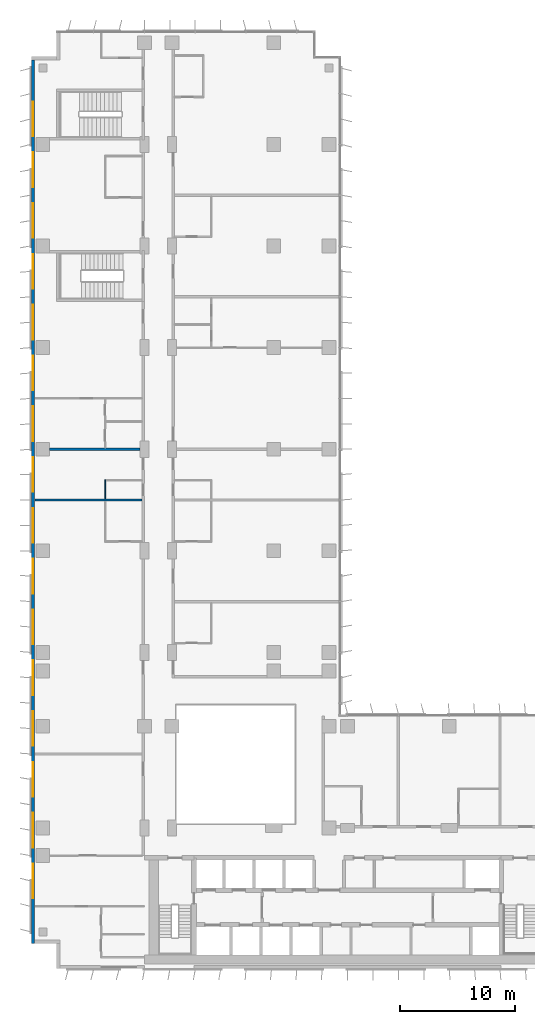
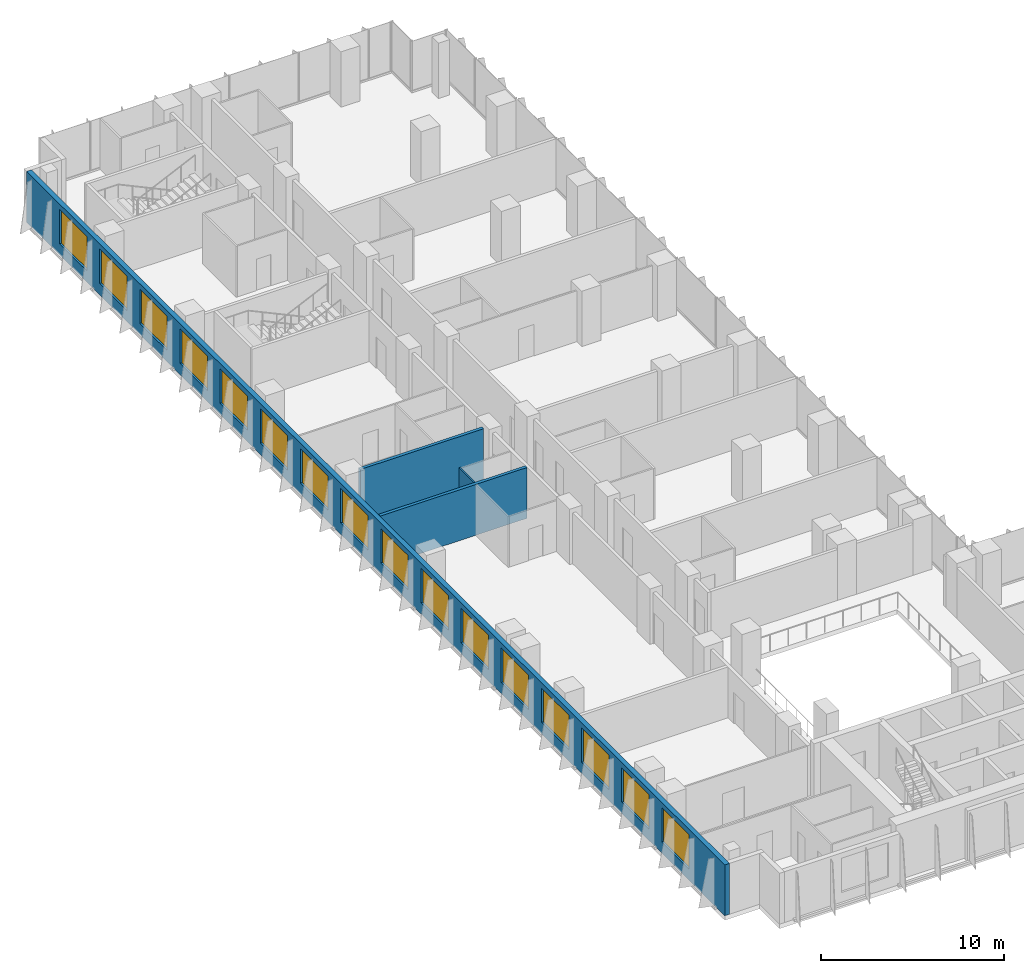
# One storey, part 15 of 22: 16 windows, 4 walls, 16 openings.
"""IFC4 building model written with IfcOpenShell, lengths in metres."""

from ifc_helpers import new_model, si_unit, direction, frame, frame_2d, origin, place, context, subcontext, project, spatial, rectangle, extrude, material, layer, layer_set, type_object, element, fill, save


model = new_model("IFC4")

# Units and contexts
model_context = context("Model", 3, precision=1e-05, world=origin(), true_north=direction((0.0, 1.0)))
body_context = subcontext(model_context, "Body", "Model", "MODEL_VIEW")
ifc_project = project(units=[si_unit("LENGTHUNIT", "METRE"), si_unit("AREAUNIT", "SQUARE_METRE"), si_unit("VOLUMEUNIT", "CUBIC_METRE"), si_unit("PLANEANGLEUNIT", "RADIAN"), si_unit("MASSUNIT", "GRAM", prefix="KILO")], contexts=[model_context])

# Site, building, storey
site_placement = place(None, origin())
site = spatial("IfcSite", under=ifc_project, at=site_placement, CompositionType="ELEMENT")
building_placement = place(site_placement, origin())
building = spatial("IfcBuilding", under=site, at=building_placement, Name="Kemantara Hotel Tower", CompositionType="ELEMENT")
storey_placement = place(building_placement, frame((0.0, 0.0, 125.89990234375)))
storey = spatial("IfcBuildingStorey", under=building, at=storey_placement, Name="L30", CompositionType="ELEMENT", Elevation=125.89990234375)

# Wall, openings, windows
ifc_material_1 = material(Name="Bronze anodised aluminium cladding on insulated steel stud wall", Category="steel")
ifc_layer_1 = layer(ifc_material_1, 0.300048828125)
ifc_layer_set_1 = layer_set([ifc_layer_1], Name="Bronze anodised aluminium cladding on insulated steel stud wall")
wall_type_1 = type_object("IfcWallType", Name="BRONZE METAL-CLAD EXTERNAL WALL 300", PredefinedType="STANDARD", material=ifc_layer_set_1)
wall_1_placement = place(storey_placement, frame((0.14990234375, 78.699951171875, 0.0), z_axis=(0.0, 0.0, 1.0), x_axis=(0.0, -1.0, 0.0)))
wall_1 = element("IfcWall", 1, at=wall_1_placement, inside=storey, type_object=wall_type_1, Name="EXTERNAL WALL L30 T2-R04", PredefinedType="STANDARD", context=body_context, shape_type="SweptSolid", body=[
    extrude(rectangle(XDim=76.5, YDim=0.300048828125, at=frame_2d((38.25, 0.0))), origin(), (0.0, 0.0, 1.0), 3.400146484375),
])
opening_1_placement = place(wall_1_placement, frame((3.60009765625, 0.0, 0.75)))
opening_1 = element("IfcOpeningElement", 2, at=opening_1_placement, cuts=wall_1, Name="Opening W1", PredefinedType="OPENING", context=body_context, shape_type="SweptSolid", body=[
    extrude(rectangle(XDim=3.0, YDim=2.300048828125, at=frame_2d((1.5, 1.14990234375))), frame((0.0, 0.159912109375, 0.0), z_axis=(0.0, -1.0, 0.0), x_axis=(1.0, 0.0, 0.0)), (0.0, 0.0, 1.0), 0.320068359375),
])
opening_2_placement = place(wall_1_placement, frame((8.0, 0.0, 0.75)))
opening_2 = element("IfcOpeningElement", 3, at=opening_2_placement, cuts=wall_1, Name="Opening W1", PredefinedType="OPENING", context=body_context, shape_type="SweptSolid", body=[
    extrude(rectangle(XDim=3.0, YDim=2.300048828125, at=frame_2d((1.5, 1.14990234375))), frame((0.0, 0.159912109375, 0.0), z_axis=(0.0, -1.0, 0.0), x_axis=(1.0, 0.0, 0.0)), (0.0, 0.0, 1.0), 0.320068359375),
])
opening_3_placement = place(wall_1_placement, frame((12.39990234375, 0.0, 0.75)))
opening_3 = element("IfcOpeningElement", 4, at=opening_3_placement, cuts=wall_1, Name="Opening W1", PredefinedType="OPENING", context=body_context, shape_type="SweptSolid", body=[
    extrude(rectangle(XDim=3.0, YDim=2.300048828125, at=frame_2d((1.5, 1.14990234375))), frame((0.0, 0.159912109375, 0.0), z_axis=(0.0, -1.0, 0.0), x_axis=(1.0, 0.0, 0.0)), (0.0, 0.0, 1.0), 0.320068359375),
])
opening_4_placement = place(wall_1_placement, frame((16.800048828125, 0.0, 0.75)))
opening_4 = element("IfcOpeningElement", 5, at=opening_4_placement, cuts=wall_1, Name="Opening W1", PredefinedType="OPENING", context=body_context, shape_type="SweptSolid", body=[
    extrude(rectangle(XDim=3.0, YDim=2.300048828125, at=frame_2d((1.5, 1.14990234375))), frame((0.0, 0.159912109375, 0.0), z_axis=(0.0, -1.0, 0.0), x_axis=(1.0, 0.0, 0.0)), (0.0, 0.0, 1.0), 0.320068359375),
])
opening_5_placement = place(wall_1_placement, frame((21.199951171875, 0.0, 0.75)))
opening_5 = element("IfcOpeningElement", 6, at=opening_5_placement, cuts=wall_1, Name="Opening W1", PredefinedType="OPENING", context=body_context, shape_type="SweptSolid", body=[
    extrude(rectangle(XDim=3.0, YDim=2.300048828125, at=frame_2d((1.5, 1.14990234375))), frame((0.0, 0.159912109375, 0.0), z_axis=(0.0, -1.0, 0.0), x_axis=(1.0, 0.0, 0.0)), (0.0, 0.0, 1.0), 0.320068359375),
])
opening_6_placement = place(wall_1_placement, frame((25.60009765625, 0.0, 0.75)))
opening_6 = element("IfcOpeningElement", 7, at=opening_6_placement, cuts=wall_1, Name="Opening W1", PredefinedType="OPENING", context=body_context, shape_type="SweptSolid", body=[
    extrude(rectangle(XDim=3.0, YDim=2.300048828125, at=frame_2d((1.5, 1.14990234375))), frame((0.0, 0.159912109375, 0.0), z_axis=(0.0, -1.0, 0.0), x_axis=(1.0, 0.0, 0.0)), (0.0, 0.0, 1.0), 0.320068359375),
])
opening_7_placement = place(wall_1_placement, frame((30.0, 0.0, 0.75)))
opening_7 = element("IfcOpeningElement", 8, at=opening_7_placement, cuts=wall_1, Name="Opening W1", PredefinedType="OPENING", context=body_context, shape_type="SweptSolid", body=[
    extrude(rectangle(XDim=3.0, YDim=2.300048828125, at=frame_2d((1.5, 1.14990234375))), frame((0.0, 0.159912109375, 0.0), z_axis=(0.0, -1.0, 0.0), x_axis=(1.0, 0.0, 0.0)), (0.0, 0.0, 1.0), 0.320068359375),
])
opening_8_placement = place(wall_1_placement, frame((34.39990234375, 0.0, 0.75)))
opening_8 = element("IfcOpeningElement", 9, at=opening_8_placement, cuts=wall_1, Name="Opening W1", PredefinedType="OPENING", context=body_context, shape_type="SweptSolid", body=[
    extrude(rectangle(XDim=3.0, YDim=2.300048828125, at=frame_2d((1.5, 1.14990234375))), frame((0.0, 0.159912109375, 0.0), z_axis=(0.0, -1.0, 0.0), x_axis=(1.0, 0.0, 0.0)), (0.0, 0.0, 1.0), 0.320068359375),
])
opening_9_placement = place(wall_1_placement, frame((38.800048828125, 0.0, 0.75)))
opening_9 = element("IfcOpeningElement", 10, at=opening_9_placement, cuts=wall_1, Name="Opening W1", PredefinedType="OPENING", context=body_context, shape_type="SweptSolid", body=[
    extrude(rectangle(XDim=3.0, YDim=2.300048828125, at=frame_2d((1.5, 1.14990234375))), frame((0.0, 0.159912109375, 0.0), z_axis=(0.0, -1.0, 0.0), x_axis=(1.0, 0.0, 0.0)), (0.0, 0.0, 1.0), 0.320068359375),
])
opening_10_placement = place(wall_1_placement, frame((43.199951171875, 0.0, 0.75)))
opening_10 = element("IfcOpeningElement", 11, at=opening_10_placement, cuts=wall_1, Name="Opening W1", PredefinedType="OPENING", context=body_context, shape_type="SweptSolid", body=[
    extrude(rectangle(XDim=3.0, YDim=2.300048828125, at=frame_2d((1.5, 1.14990234375))), frame((0.0, 0.159912109375, 0.0), z_axis=(0.0, -1.0, 0.0), x_axis=(1.0, 0.0, 0.0)), (0.0, 0.0, 1.0), 0.320068359375),
])
opening_11_placement = place(wall_1_placement, frame((47.60009765625, 0.0, 0.75)))
opening_11 = element("IfcOpeningElement", 12, at=opening_11_placement, cuts=wall_1, Name="Opening W1", PredefinedType="OPENING", context=body_context, shape_type="SweptSolid", body=[
    extrude(rectangle(XDim=3.0, YDim=2.300048828125, at=frame_2d((1.5, 1.14990234375))), frame((0.0, 0.159912109375, 0.0), z_axis=(0.0, -1.0, 0.0), x_axis=(1.0, 0.0, 0.0)), (0.0, 0.0, 1.0), 0.320068359375),
])
opening_12_placement = place(wall_1_placement, frame((52.0, 0.0, 0.75)))
opening_12 = element("IfcOpeningElement", 13, at=opening_12_placement, cuts=wall_1, Name="Opening W1", PredefinedType="OPENING", context=body_context, shape_type="SweptSolid", body=[
    extrude(rectangle(XDim=3.0, YDim=2.300048828125, at=frame_2d((1.5, 1.14990234375))), frame((0.0, 0.159912109375, 0.0), z_axis=(0.0, -1.0, 0.0), x_axis=(1.0, 0.0, 0.0)), (0.0, 0.0, 1.0), 0.320068359375),
])
opening_13_placement = place(wall_1_placement, frame((56.39990234375, 0.0, 0.75)))
opening_13 = element("IfcOpeningElement", 14, at=opening_13_placement, cuts=wall_1, Name="Opening W1", PredefinedType="OPENING", context=body_context, shape_type="SweptSolid", body=[
    extrude(rectangle(XDim=3.0, YDim=2.300048828125, at=frame_2d((1.5, 1.14990234375))), frame((0.0, 0.159912109375, 0.0), z_axis=(0.0, -1.0, 0.0), x_axis=(1.0, 0.0, 0.0)), (0.0, 0.0, 1.0), 0.320068359375),
])
opening_14_placement = place(wall_1_placement, frame((60.800048828125, 0.0, 0.75)))
opening_14 = element("IfcOpeningElement", 15, at=opening_14_placement, cuts=wall_1, Name="Opening W1", PredefinedType="OPENING", context=body_context, shape_type="SweptSolid", body=[
    extrude(rectangle(XDim=3.0, YDim=2.300048828125, at=frame_2d((1.5, 1.14990234375))), frame((0.0, 0.159912109375, 0.0), z_axis=(0.0, -1.0, 0.0), x_axis=(1.0, 0.0, 0.0)), (0.0, 0.0, 1.0), 0.320068359375),
])
opening_15_placement = place(wall_1_placement, frame((65.199951171875, 0.0, 0.75)))
opening_15 = element("IfcOpeningElement", 16, at=opening_15_placement, cuts=wall_1, Name="Opening W1", PredefinedType="OPENING", context=body_context, shape_type="SweptSolid", body=[
    extrude(rectangle(XDim=3.0, YDim=2.300048828125, at=frame_2d((1.5, 1.14990234375))), frame((0.0, 0.159912109375, 0.0), z_axis=(0.0, -1.0, 0.0), x_axis=(1.0, 0.0, 0.0)), (0.0, 0.0, 1.0), 0.320068359375),
])
opening_16_placement = place(wall_1_placement, frame((69.60009765625, 0.0, 0.75)))
opening_16 = element("IfcOpeningElement", 17, at=opening_16_placement, cuts=wall_1, Name="Opening W1", PredefinedType="OPENING", context=body_context, shape_type="SweptSolid", body=[
    extrude(rectangle(XDim=3.0, YDim=2.300048828125, at=frame_2d((1.5, 1.14990234375))), frame((0.0, 0.159912109375, 0.0), z_axis=(0.0, -1.0, 0.0), x_axis=(1.0, 0.0, 0.0)), (0.0, 0.0, 1.0), 0.320068359375),
])
ifc_material_2 = material(Name="Low-E tinted double insulated glass in bronze anodised aluminium frame", Category="aluminium")
window_type = type_object("IfcWindowType", Name="CHICAGO WINDOW, TRIPLE PANEL 3000x2300", PartitioningType="TRIPLE_PANEL_VERTICAL", PredefinedType="WINDOW", material=ifc_material_2)
window_1_placement = place(opening_1_placement, origin())
window_1 = element("IfcWindow", 18, at=window_1_placement, inside=storey, type_object=window_type, Name="CHICAGO WINDOW L30 T2-R04-54", OverallHeight=2.300048828125, OverallWidth=3.0, PartitioningType="SINGLE_PANEL", PredefinedType="WINDOW", context=body_context, shape_type="SweptSolid", body=[
    extrude(rectangle(XDim=3.0, YDim=2.300048828125, at=frame_2d((1.5, 1.14990234375))), frame((0.0, 0.030029296875, 0.0), z_axis=(0.0, -1.0, 0.0), x_axis=(1.0, 0.0, 0.0)), (0.0, 0.0, 1.0), 0.06005859375),
])
fill(opening_1, window_1)
window_2_placement = place(opening_2_placement, origin())
window_2 = element("IfcWindow", 19, at=window_2_placement, inside=storey, type_object=window_type, Name="CHICAGO WINDOW L30 T2-R04-98", OverallHeight=2.300048828125, OverallWidth=3.0, PartitioningType="SINGLE_PANEL", PredefinedType="WINDOW", context=body_context, shape_type="SweptSolid", body=[
    extrude(rectangle(XDim=3.0, YDim=2.300048828125, at=frame_2d((1.5, 1.14990234375))), frame((0.0, 0.030029296875, 0.0), z_axis=(0.0, -1.0, 0.0), x_axis=(1.0, 0.0, 0.0)), (0.0, 0.0, 1.0), 0.06005859375),
])
fill(opening_2, window_2)
window_3_placement = place(opening_3_placement, origin())
window_3 = element("IfcWindow", 20, at=window_3_placement, inside=storey, type_object=window_type, Name="CHICAGO WINDOW L30 T2-R04-142", OverallHeight=2.300048828125, OverallWidth=3.0, PartitioningType="SINGLE_PANEL", PredefinedType="WINDOW", context=body_context, shape_type="SweptSolid", body=[
    extrude(rectangle(XDim=3.0, YDim=2.300048828125, at=frame_2d((1.5, 1.14990234375))), frame((0.0, 0.030029296875, 0.0), z_axis=(0.0, -1.0, 0.0), x_axis=(1.0, 0.0, 0.0)), (0.0, 0.0, 1.0), 0.06005859375),
])
fill(opening_3, window_3)
window_4_placement = place(opening_4_placement, origin())
window_4 = element("IfcWindow", 21, at=window_4_placement, inside=storey, type_object=window_type, Name="CHICAGO WINDOW L30 T2-R04-186", OverallHeight=2.300048828125, OverallWidth=3.0, PartitioningType="SINGLE_PANEL", PredefinedType="WINDOW", context=body_context, shape_type="SweptSolid", body=[
    extrude(rectangle(XDim=3.0, YDim=2.300048828125, at=frame_2d((1.5, 1.14990234375))), frame((0.0, 0.030029296875, 0.0), z_axis=(0.0, -1.0, 0.0), x_axis=(1.0, 0.0, 0.0)), (0.0, 0.0, 1.0), 0.06005859375),
])
fill(opening_4, window_4)
window_5_placement = place(opening_5_placement, origin())
window_5 = element("IfcWindow", 22, at=window_5_placement, inside=storey, type_object=window_type, Name="CHICAGO WINDOW L30 T2-R04-230", OverallHeight=2.300048828125, OverallWidth=3.0, PartitioningType="SINGLE_PANEL", PredefinedType="WINDOW", context=body_context, shape_type="SweptSolid", body=[
    extrude(rectangle(XDim=3.0, YDim=2.300048828125, at=frame_2d((1.5, 1.14990234375))), frame((0.0, 0.030029296875, 0.0), z_axis=(0.0, -1.0, 0.0), x_axis=(1.0, 0.0, 0.0)), (0.0, 0.0, 1.0), 0.06005859375),
])
fill(opening_5, window_5)
window_6_placement = place(opening_6_placement, origin())
window_6 = element("IfcWindow", 23, at=window_6_placement, inside=storey, type_object=window_type, Name="CHICAGO WINDOW L30 T2-R04-274", OverallHeight=2.300048828125, OverallWidth=3.0, PartitioningType="SINGLE_PANEL", PredefinedType="WINDOW", context=body_context, shape_type="SweptSolid", body=[
    extrude(rectangle(XDim=3.0, YDim=2.300048828125, at=frame_2d((1.5, 1.14990234375))), frame((0.0, 0.030029296875, 0.0), z_axis=(0.0, -1.0, 0.0), x_axis=(1.0, 0.0, 0.0)), (0.0, 0.0, 1.0), 0.06005859375),
])
fill(opening_6, window_6)
window_7_placement = place(opening_7_placement, origin())
window_7 = element("IfcWindow", 24, at=window_7_placement, inside=storey, type_object=window_type, Name="CHICAGO WINDOW L30 T2-R04-318", OverallHeight=2.300048828125, OverallWidth=3.0, PartitioningType="SINGLE_PANEL", PredefinedType="WINDOW", context=body_context, shape_type="SweptSolid", body=[
    extrude(rectangle(XDim=3.0, YDim=2.300048828125, at=frame_2d((1.5, 1.14990234375))), frame((0.0, 0.030029296875, 0.0), z_axis=(0.0, -1.0, 0.0), x_axis=(1.0, 0.0, 0.0)), (0.0, 0.0, 1.0), 0.06005859375),
])
fill(opening_7, window_7)
window_8_placement = place(opening_8_placement, origin())
window_8 = element("IfcWindow", 25, at=window_8_placement, inside=storey, type_object=window_type, Name="CHICAGO WINDOW L30 T2-R04-362", OverallHeight=2.300048828125, OverallWidth=3.0, PartitioningType="SINGLE_PANEL", PredefinedType="WINDOW", context=body_context, shape_type="SweptSolid", body=[
    extrude(rectangle(XDim=3.0, YDim=2.300048828125, at=frame_2d((1.5, 1.14990234375))), frame((0.0, 0.030029296875, 0.0), z_axis=(0.0, -1.0, 0.0), x_axis=(1.0, 0.0, 0.0)), (0.0, 0.0, 1.0), 0.06005859375),
])
fill(opening_8, window_8)
window_9_placement = place(opening_9_placement, origin())
window_9 = element("IfcWindow", 26, at=window_9_placement, inside=storey, type_object=window_type, Name="CHICAGO WINDOW L30 T2-R04-406", OverallHeight=2.300048828125, OverallWidth=3.0, PartitioningType="SINGLE_PANEL", PredefinedType="WINDOW", context=body_context, shape_type="SweptSolid", body=[
    extrude(rectangle(XDim=3.0, YDim=2.300048828125, at=frame_2d((1.5, 1.14990234375))), frame((0.0, 0.030029296875, 0.0), z_axis=(0.0, -1.0, 0.0), x_axis=(1.0, 0.0, 0.0)), (0.0, 0.0, 1.0), 0.06005859375),
])
fill(opening_9, window_9)
window_10_placement = place(opening_10_placement, origin())
window_10 = element("IfcWindow", 27, at=window_10_placement, inside=storey, type_object=window_type, Name="CHICAGO WINDOW L30 T2-R04-450", OverallHeight=2.300048828125, OverallWidth=3.0, PartitioningType="SINGLE_PANEL", PredefinedType="WINDOW", context=body_context, shape_type="SweptSolid", body=[
    extrude(rectangle(XDim=3.0, YDim=2.300048828125, at=frame_2d((1.5, 1.14990234375))), frame((0.0, 0.030029296875, 0.0), z_axis=(0.0, -1.0, 0.0), x_axis=(1.0, 0.0, 0.0)), (0.0, 0.0, 1.0), 0.06005859375),
])
fill(opening_10, window_10)
window_11_placement = place(opening_11_placement, origin())
window_11 = element("IfcWindow", 28, at=window_11_placement, inside=storey, type_object=window_type, Name="CHICAGO WINDOW L30 T2-R04-494", OverallHeight=2.300048828125, OverallWidth=3.0, PartitioningType="SINGLE_PANEL", PredefinedType="WINDOW", context=body_context, shape_type="SweptSolid", body=[
    extrude(rectangle(XDim=3.0, YDim=2.300048828125, at=frame_2d((1.5, 1.14990234375))), frame((0.0, 0.030029296875, 0.0), z_axis=(0.0, -1.0, 0.0), x_axis=(1.0, 0.0, 0.0)), (0.0, 0.0, 1.0), 0.06005859375),
])
fill(opening_11, window_11)
window_12_placement = place(opening_12_placement, origin())
window_12 = element("IfcWindow", 29, at=window_12_placement, inside=storey, type_object=window_type, Name="CHICAGO WINDOW L30 T2-R04-538", OverallHeight=2.300048828125, OverallWidth=3.0, PartitioningType="SINGLE_PANEL", PredefinedType="WINDOW", context=body_context, shape_type="SweptSolid", body=[
    extrude(rectangle(XDim=3.0, YDim=2.300048828125, at=frame_2d((1.5, 1.14990234375))), frame((0.0, 0.030029296875, 0.0), z_axis=(0.0, -1.0, 0.0), x_axis=(1.0, 0.0, 0.0)), (0.0, 0.0, 1.0), 0.06005859375),
])
fill(opening_12, window_12)
window_13_placement = place(opening_13_placement, origin())
window_13 = element("IfcWindow", 30, at=window_13_placement, inside=storey, type_object=window_type, Name="CHICAGO WINDOW L30 T2-R04-582", OverallHeight=2.300048828125, OverallWidth=3.0, PartitioningType="SINGLE_PANEL", PredefinedType="WINDOW", context=body_context, shape_type="SweptSolid", body=[
    extrude(rectangle(XDim=3.0, YDim=2.300048828125, at=frame_2d((1.5, 1.14990234375))), frame((0.0, 0.030029296875, 0.0), z_axis=(0.0, -1.0, 0.0), x_axis=(1.0, 0.0, 0.0)), (0.0, 0.0, 1.0), 0.06005859375),
])
fill(opening_13, window_13)
window_14_placement = place(opening_14_placement, origin())
window_14 = element("IfcWindow", 31, at=window_14_placement, inside=storey, type_object=window_type, Name="CHICAGO WINDOW L30 T2-R04-626", OverallHeight=2.300048828125, OverallWidth=3.0, PartitioningType="SINGLE_PANEL", PredefinedType="WINDOW", context=body_context, shape_type="SweptSolid", body=[
    extrude(rectangle(XDim=3.0, YDim=2.300048828125, at=frame_2d((1.5, 1.14990234375))), frame((0.0, 0.030029296875, 0.0), z_axis=(0.0, -1.0, 0.0), x_axis=(1.0, 0.0, 0.0)), (0.0, 0.0, 1.0), 0.06005859375),
])
fill(opening_14, window_14)
window_15_placement = place(opening_15_placement, origin())
window_15 = element("IfcWindow", 32, at=window_15_placement, inside=storey, type_object=window_type, Name="CHICAGO WINDOW L30 T2-R04-670", OverallHeight=2.300048828125, OverallWidth=3.0, PartitioningType="SINGLE_PANEL", PredefinedType="WINDOW", context=body_context, shape_type="SweptSolid", body=[
    extrude(rectangle(XDim=3.0, YDim=2.300048828125, at=frame_2d((1.5, 1.14990234375))), frame((0.0, 0.030029296875, 0.0), z_axis=(0.0, -1.0, 0.0), x_axis=(1.0, 0.0, 0.0)), (0.0, 0.0, 1.0), 0.06005859375),
])
fill(opening_15, window_15)
window_16_placement = place(opening_16_placement, origin())
window_16 = element("IfcWindow", 33, at=window_16_placement, inside=storey, type_object=window_type, Name="CHICAGO WINDOW L30 T2-R04-714", OverallHeight=2.300048828125, OverallWidth=3.0, PartitioningType="SINGLE_PANEL", PredefinedType="WINDOW", context=body_context, shape_type="SweptSolid", body=[
    extrude(rectangle(XDim=3.0, YDim=2.300048828125, at=frame_2d((1.5, 1.14990234375))), frame((0.0, 0.030029296875, 0.0), z_axis=(0.0, -1.0, 0.0), x_axis=(1.0, 0.0, 0.0)), (0.0, 0.0, 1.0), 0.06005859375),
])
fill(opening_16, window_16)

# Walls
ifc_material_3 = material(Name="Gypsum board partition, steel studs and mineral wool, 200 mm", Category="steel")
ifc_layer_2 = layer(ifc_material_3, 0.199951171875)
ifc_layer_set_2 = layer_set([ifc_layer_2], Name="Gypsum board partition, steel studs and mineral wool, 200 mm")
wall_type_2 = type_object("IfcWallType", Name="GUEST ROOM PARTY WALL 200", PredefinedType="PARTITIONING", material=ifc_layer_set_2)
wall_2_placement = place(storey_placement, frame((0.31005859375, 40.60009765625, 0.0), z_axis=(0.0, 0.0, 1.0), x_axis=(1.0, 0.0, 0.0)))
element("IfcWall", 34, at=wall_2_placement, inside=storey, type_object=wall_type_2, Name="GUEST ROOM PARTY WALL 200 024", PredefinedType="PARTITIONING", context=body_context, shape_type="SweptSolid", body=[
    extrude(rectangle(XDim=9.2900390625, YDim=0.199951171875, at=frame_2d((4.64501953125, 0.0))), origin(), (0.0, 0.0, 1.0), 3.400146484375),
])
wall_3_placement = place(storey_placement, frame((1.60009765625, 45.0, 0.0), z_axis=(0.0, 0.0, 1.0), x_axis=(1.0, 0.0, 0.0)))
element("IfcWall", 35, at=wall_3_placement, inside=storey, type_object=wall_type_2, Name="GUEST ROOM PARTY WALL 200 026", PredefinedType="PARTITIONING", context=body_context, shape_type="SweptSolid", body=[
    extrude(rectangle(XDim=7.7998046875, YDim=0.199951171875, at=frame_2d((3.89990234375, 0.0))), origin(), (0.0, 0.0, 1.0), 3.400146484375),
])
ifc_material_4 = material(Name="Gypsum board partition on steel studs, 100 mm", Category="steel")
ifc_layer_3 = layer(ifc_material_4, 0.10009765625)
ifc_layer_set_3 = layer_set([ifc_layer_3], Name="Gypsum board partition on steel studs, 100 mm")
wall_type_3 = type_object("IfcWallType", Name="ROOM PARTITION 100", PredefinedType="PARTITIONING", material=ifc_layer_set_3)
wall_4_placement = place(storey_placement, frame((6.39990234375, 40.699951171875, 0.0), z_axis=(0.0, 0.0, 1.0), x_axis=(0.0, 1.0, 0.0)))
element("IfcWall", 36, at=wall_4_placement, inside=storey, type_object=wall_type_3, Name="ROOM PARTITION 100 062", PredefinedType="PARTITIONING", context=body_context, shape_type="SweptSolid", body=[
    extrude(rectangle(XDim=1.650146484375, YDim=0.10009765625, at=frame_2d((0.8251953125, 0.0))), origin(), (0.0, 0.0, 1.0), 3.400146484375),
])

save(model, "model.ifc")
